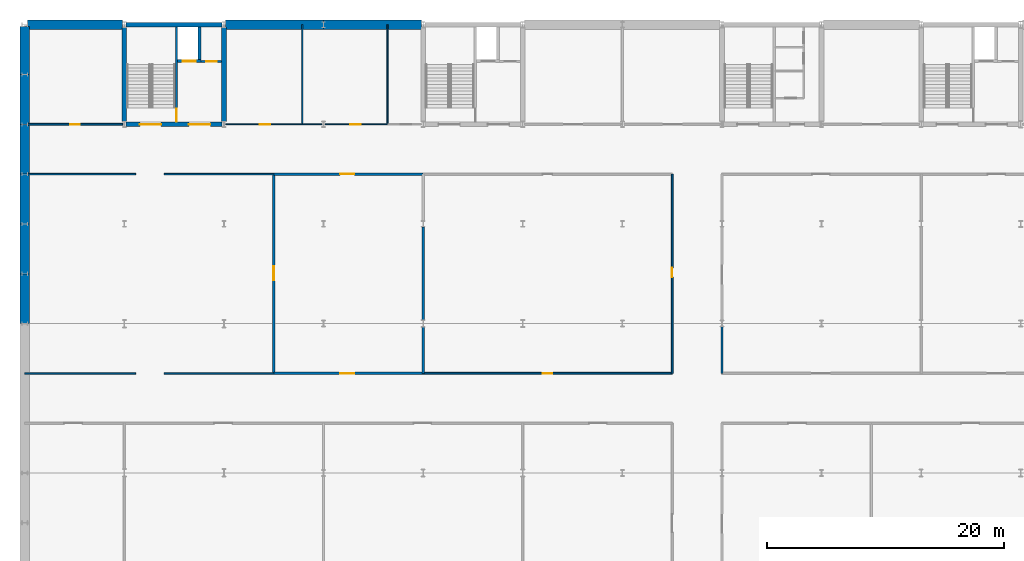
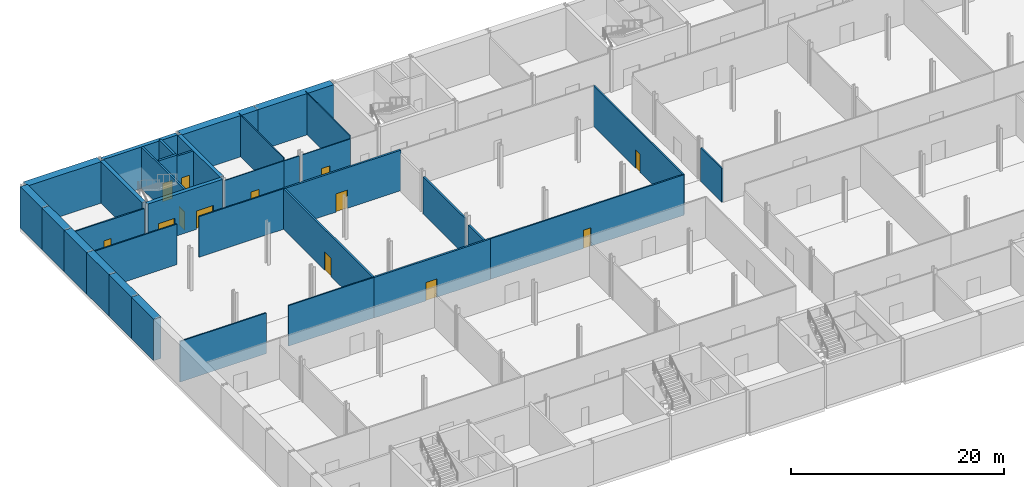
# One storey, part 12 of 20: 35 walls, 13 doors, 13 openings.
"""IFC4 building model written with IfcOpenShell, lengths in metres."""

from ifc_helpers import new_model, si_unit, direction, frame, frame_2d, origin, place, context, subcontext, project, spatial, rectangle, extrude, material, layer, layer_set, type_object, element, fill, save


model = new_model("IFC4")

# Units and contexts
model_context = context("Model", 3, precision=1e-05, world=origin(), true_north=direction((0.0, 1.0)))
body_context = subcontext(model_context, "Body", "Model", "MODEL_VIEW")
ifc_project = project(units=[si_unit("LENGTHUNIT", "METRE"), si_unit("AREAUNIT", "SQUARE_METRE"), si_unit("VOLUMEUNIT", "CUBIC_METRE"), si_unit("PLANEANGLEUNIT", "RADIAN"), si_unit("MASSUNIT", "GRAM", prefix="KILO")], contexts=[model_context])

# Site, building, storey
site_placement = place(None, origin())
site = spatial("IfcSite", under=ifc_project, at=site_placement, CompositionType="ELEMENT")
building_placement = place(site_placement, origin())
building = spatial("IfcBuilding", under=site, at=building_placement, Name="Galleria Vessillo Department Store", CompositionType="ELEMENT")
storey_placement = place(building_placement, frame((0.0, 0.0, -4.89990234375)))
storey = spatial("IfcBuildingStorey", under=building, at=storey_placement, Name="B1", CompositionType="ELEMENT", Elevation=-4.89990234375)

# Walls
ifc_material_1 = material(Name="Concrete C32/40 reinforced", Category="concrete")
ifc_layer_1 = layer(ifc_material_1, 0.800048828125)
ifc_layer_set_1 = layer_set([ifc_layer_1], Name="Concrete C32/40 reinforced")
wall_type_1 = type_object("IfcWallType", Name="Diaphragm wall 800 mm", PredefinedType="SOLIDWALL", material=ifc_layer_set_1)
wall_1_placement = place(storey_placement, frame((0.25, 63.0, 0.0), z_axis=(0.0, 0.0, 1.0), x_axis=(1.0, 0.0, 0.0)))
element("IfcWall", 1, at=wall_1_placement, inside=storey, type_object=wall_type_1, Name="S-BW-N-B1-01", PredefinedType="SOLIDWALL", context=body_context, shape_type="SweptSolid", body=[
    extrude(rectangle(XDim=8.0, YDim=0.800048828125, at=frame_2d((4.0, 0.0))), origin(), (0.0, 0.0, 1.0), 4.75),
])
wall_2_placement = place(storey_placement, frame((16.949951171875, 63.0, 0.0), z_axis=(0.0, 0.0, 1.0), x_axis=(1.0, 0.0, 0.0)))
element("IfcWall", 2, at=wall_2_placement, inside=storey, type_object=wall_type_1, Name="S-BW-N-B1-02", PredefinedType="SOLIDWALL", context=body_context, shape_type="SweptSolid", body=[
    extrude(rectangle(XDim=8.25, YDim=0.800048828125, at=frame_2d((4.125, 0.0))), origin(), (0.0, 0.0, 1.0), 4.75),
])
wall_3_placement = place(storey_placement, frame((25.199951171875, 63.0, 0.0), z_axis=(0.0, 0.0, 1.0), x_axis=(1.0, 0.0, 0.0)))
element("IfcWall", 3, at=wall_3_placement, inside=storey, type_object=wall_type_1, Name="S-BW-N-B1-03", PredefinedType="SOLIDWALL", context=body_context, shape_type="SweptSolid", body=[
    extrude(rectangle(XDim=8.250244140625, YDim=0.800048828125, at=frame_2d((4.125, 0.0))), origin(), (0.0, 0.0, 1.0), 4.75),
])
for number, where, z_axis, x_axis, name in (
    (4, (0.0, 37.800048828125, 0.0), (0.0, 0.0, 1.0), (0.0, 1.0, 0.0), "S-BW-W-B1-08"),
    (5, (0.0, 42.0, 0.0), (0.0, 0.0, 1.0), (0.0, 1.0, 0.0), "S-BW-W-B1-09"),
    (6, (0.0, 46.199951171875, 0.0), (0.0, 0.0, 1.0), (0.0, 1.0, 0.0), "S-BW-W-B1-10"),
):
    element("IfcWall", number, at=place(storey_placement, frame(where, z_axis=z_axis, x_axis=x_axis)), inside=storey, type_object=wall_type_1, Name=name, PredefinedType="SOLIDWALL", context=body_context, shape_type="SweptSolid", body=[
        extrude(rectangle(XDim=4.199951171875, YDim=0.800048828125, at=frame_2d((2.10009765625, 0.0))), origin(), (0.0, 0.0, 1.0), 4.75),
    ])
wall_4_placement = place(storey_placement, frame((0.0, 50.39990234375, 0.0), z_axis=(0.0, 0.0, 1.0), x_axis=(0.0, 1.0, 0.0)))
element("IfcWall", 7, at=wall_4_placement, inside=storey, type_object=wall_type_1, Name="S-BW-W-B1-11", PredefinedType="SOLIDWALL", context=body_context, shape_type="SweptSolid", body=[
    extrude(rectangle(XDim=4.2001953125, YDim=0.800048828125, at=frame_2d((2.10009765625, 0.0))), origin(), (0.0, 0.0, 1.0), 4.75),
])
wall_5_placement = place(storey_placement, frame((0.0, 54.60009765625, 0.0), z_axis=(0.0, 0.0, 1.0), x_axis=(0.0, 1.0, 0.0)))
element("IfcWall", 8, at=wall_5_placement, inside=storey, type_object=wall_type_1, Name="S-BW-W-B1-12", PredefinedType="SOLIDWALL", context=body_context, shape_type="SweptSolid", body=[
    extrude(rectangle(XDim=4.199951171875, YDim=0.800048828125, at=frame_2d((2.10009765625, 0.0))), origin(), (0.0, 0.0, 1.0), 4.75),
])
wall_6_placement = place(storey_placement, frame((0.0, 58.800048828125, 0.0), z_axis=(0.0, 0.0, 1.0), x_axis=(0.0, 1.0, 0.0)))
element("IfcWall", 9, at=wall_6_placement, inside=storey, type_object=wall_type_1, Name="S-BW-W-B1-13", PredefinedType="SOLIDWALL", context=body_context, shape_type="SweptSolid", body=[
    extrude(rectangle(XDim=4.050048828125, YDim=0.800048828125, at=frame_2d((2.02490234375, 0.0))), origin(), (0.0, 0.0, 1.0), 4.75),
])

# Wall, opening, door
ifc_material_2 = material(Name="Concrete blockwork", Category="masonry")
ifc_layer_2 = layer(ifc_material_2, 0.199951171875)
ifc_layer_set_2 = layer_set([ifc_layer_2], Name="Concrete blockwork")
wall_type_2 = type_object("IfcWallType", Name="Kitchen blockwork wall 200 mm", PredefinedType="SOLIDWALL", material=ifc_layer_set_2)
wall_7_placement = place(storey_placement, frame((21.0, 33.60009765625, 0.0), z_axis=(0.0, 0.0, 1.0), x_axis=(1.0, 0.0, 0.0)))
wall_7 = element("IfcWall", 10, at=wall_7_placement, inside=storey, type_object=wall_type_2, Name="Partition wall PT8 on B1 no. 041", PredefinedType="SOLIDWALL", context=body_context, shape_type="SweptSolid", body=[
    extrude(rectangle(XDim=12.60009765625, YDim=0.199951171875, at=frame_2d((6.300048828125, 0.0))), origin(), (0.0, 0.0, 1.0), 4.64990234375),
])
opening_1_placement = place(wall_7_placement, frame((5.60009765625, 0.0, 0.0)))
opening_1 = element("IfcOpeningElement", 11, at=opening_1_placement, cuts=wall_7, Name="Opening D2131", PredefinedType="OPENING", context=body_context, shape_type="SweptSolid", body=[
    extrude(rectangle(XDim=1.199951171875, YDim=2.10009765625, at=frame_2d((0.60009765625, 1.050048828125))), frame((0.0, 0.10986328125, 0.0), z_axis=(0.0, -1.0, 0.0), x_axis=(1.0, 0.0, 0.0)), (0.0, 0.0, 1.0), 0.219970703125),
])
ifc_material_3 = material(Name="Steel fire door leaf", Category="steel")
door_type_1 = type_object("IfcDoorType", Name="Kitchen fire door 1200", OperationType="SINGLE_SWING_LEFT", PredefinedType="DOOR", material=ifc_material_3)
door_1_placement = place(opening_1_placement, origin())
door_1 = element("IfcDoor", 12, at=door_1_placement, inside=storey, type_object=door_type_1, Name="Door D2131", OperationType="SINGLE_SWING_RIGHT", OverallHeight=2.10009765625, OverallWidth=1.199951171875, PredefinedType="DOOR", context=body_context, shape_type="SweptSolid", body=[
    extrude(rectangle(XDim=1.199951171875, YDim=2.10009765625, at=frame_2d((0.60009765625, 1.050048828125))), frame((0.0, 0.02490234375, 0.0), z_axis=(0.0, -1.0, 0.0), x_axis=(1.0, 0.0, 0.0)), (0.0, 0.0, 1.0), 0.050048828125),
])
fill(opening_1, door_1)

wall_8_placement = place(storey_placement, frame((21.0, 50.39990234375, 0.0), z_axis=(0.0, 0.0, 1.0), x_axis=(1.0, 0.0, 0.0)))
wall_8 = element("IfcWall", 13, at=wall_8_placement, inside=storey, type_object=wall_type_2, Name="Partition wall PT8 on B1 no. 049", PredefinedType="SOLIDWALL", context=body_context, shape_type="SweptSolid", body=[
    extrude(rectangle(XDim=12.60009765625, YDim=0.199951171875, at=frame_2d((6.300048828125, 0.0))), origin(), (0.0, 0.0, 1.0), 4.64990234375),
])
opening_2_placement = place(wall_8_placement, frame((5.60009765625, 0.0, 0.0)))
opening_2 = element("IfcOpeningElement", 14, at=opening_2_placement, cuts=wall_8, Name="Opening D2137", PredefinedType="OPENING", context=body_context, shape_type="SweptSolid", body=[
    extrude(rectangle(XDim=1.199951171875, YDim=2.10009765625, at=frame_2d((0.60009765625, 1.050048828125))), frame((0.0, 0.10986328125, 0.0), z_axis=(0.0, -1.0, 0.0), x_axis=(1.0, 0.0, 0.0)), (0.0, 0.0, 1.0), 0.219970703125),
])
door_2_placement = place(opening_2_placement, frame((1.199951171875, 0.0, 0.0), z_axis=(0.0, 0.0, 1.0), x_axis=(-1.0, 0.0, 0.0)))
door_2 = element("IfcDoor", 15, at=door_2_placement, inside=storey, type_object=door_type_1, Name="Door D2137", OperationType="SINGLE_SWING_LEFT", OverallHeight=2.10009765625, OverallWidth=1.199951171875, PredefinedType="DOOR", context=body_context, shape_type="SweptSolid", body=[
    extrude(rectangle(XDim=1.199951171875, YDim=2.10009765625, at=frame_2d((0.60009765625, 1.050048828125))), frame((0.0, 0.02490234375, 0.0), z_axis=(0.0, -1.0, 0.0), x_axis=(1.0, 0.0, 0.0)), (0.0, 0.0, 1.0), 0.050048828125),
])
fill(opening_2, door_2)

wall_9_placement = place(storey_placement, frame((21.0, 33.60009765625, 0.0), z_axis=(0.0, 0.0, 1.0), x_axis=(0.0, 1.0, 0.0)))
wall_9 = element("IfcWall", 16, at=wall_9_placement, inside=storey, type_object=wall_type_2, Name="Partition wall PT8 on B1 no. 090", PredefinedType="SOLIDWALL", context=body_context, shape_type="SweptSolid", body=[
    extrude(rectangle(XDim=16.7998046875, YDim=0.199951171875, at=frame_2d((8.39990234375, 0.0))), origin(), (0.0, 0.0, 1.0), 4.64990234375),
])
opening_3_placement = place(wall_9_placement, frame((7.85009765625, 0.0, 0.0)))
opening_3 = element("IfcOpeningElement", 17, at=opening_3_placement, cuts=wall_9, Name="Opening D2155", PredefinedType="OPENING", context=body_context, shape_type="SweptSolid", body=[
    extrude(rectangle(XDim=1.199951171875, YDim=2.10009765625, at=frame_2d((0.60009765625, 1.050048828125))), frame((0.0, 0.10986328125, 0.0), z_axis=(0.0, -1.0, 0.0), x_axis=(1.0, 0.0, 0.0)), (0.0, 0.0, 1.0), 0.219970703125),
])
door_3_placement = place(opening_3_placement, origin())
door_3 = element("IfcDoor", 18, at=door_3_placement, inside=storey, type_object=door_type_1, Name="Door D2155", OperationType="SINGLE_SWING_LEFT", OverallHeight=2.10009765625, OverallWidth=1.199951171875, PredefinedType="DOOR", context=body_context, shape_type="SweptSolid", body=[
    extrude(rectangle(XDim=1.199951171875, YDim=2.10009765625, at=frame_2d((0.60009765625, 1.050048828125))), frame((0.0, 0.02490234375, 0.0), z_axis=(0.0, -1.0, 0.0), x_axis=(1.0, 0.0, 0.0)), (0.0, 0.0, 1.0), 0.050048828125),
])
fill(opening_3, door_3)

# Walls
wall_10_placement = place(storey_placement, frame((33.60009765625, 33.60009765625, 0.0), z_axis=(0.0, 0.0, 1.0), x_axis=(0.0, 1.0, 0.0)))
element("IfcWall", 19, at=wall_10_placement, inside=storey, type_object=wall_type_2, Name="Partition wall PT8 on B1 no. 091", PredefinedType="SOLIDWALL", context=body_context, shape_type="SweptSolid", body=[
    extrude(rectangle(XDim=3.889892578125, YDim=0.199951171875, at=frame_2d((1.94482421875, 0.0))), origin(), (0.0, 0.0, 1.0), 3.85986328125),
])
wall_11_placement = place(storey_placement, frame((33.60009765625, 38.110107421875, 0.0), z_axis=(0.0, 0.0, 1.0), x_axis=(0.0, 1.0, 0.0)))
element("IfcWall", 20, at=wall_11_placement, inside=storey, type_object=wall_type_2, Name="Partition wall PT8 on B1 no. 092", PredefinedType="SOLIDWALL", context=body_context, shape_type="SweptSolid", body=[
    extrude(rectangle(XDim=7.83984375, YDim=0.199951171875, at=frame_2d((3.919921875, 0.0))), origin(), (0.0, 0.0, 1.0), 4.259765625),
])

# Wall, opening, door
ifc_material_4 = material(Name="Solid clay block masonry", Category="masonry")
ifc_layer_3 = layer(ifc_material_4, 0.25)
ifc_layer_set_3 = layer_set([ifc_layer_3], Name="Solid clay block masonry")
wall_type_3 = type_object("IfcWallType", Name="Lift shaft wall 250 mm", PredefinedType="SOLIDWALL", material=ifc_layer_set_3)
wall_12_placement = place(storey_placement, frame((12.89990234375, 59.925048828125, 0.0), z_axis=(0.0, 0.0, 1.0), x_axis=(1.0, 0.0, 0.0)))
wall_12 = element("IfcWall", 21, at=wall_12_placement, inside=storey, type_object=wall_type_3, Name="Lift shaft wall LP2 landing side B1", PredefinedType="SOLIDWALL", context=body_context, shape_type="SweptSolid", body=[
    extrude(rectangle(XDim=1.9501953125, YDim=0.25, at=frame_2d((0.97509765625, 0.0))), origin(), (0.0, 0.0, 1.0), 4.89990234375),
])
opening_4_placement = place(wall_12_placement, frame((0.425048828125, 0.0, 0.0)))
opening_4 = element("IfcOpeningElement", 22, at=opening_4_placement, cuts=wall_12, Name="Opening LD010", PredefinedType="OPENING", context=body_context, shape_type="SweptSolid", body=[
    extrude(rectangle(XDim=1.10009765625, YDim=2.10009765625, at=frame_2d((0.550048828125, 1.050048828125))), frame((0.0, 0.135009765625, 0.0), z_axis=(0.0, -1.0, 0.0), x_axis=(1.0, 0.0, 0.0)), (0.0, 0.0, 1.0), 0.27001953125),
])
ifc_material_5 = material(Name="Stainless steel lift door panel", Category="steel")
door_type_2 = type_object("IfcDoorType", Name="Lift landing door LD110 sliding 1100 x 2100", OperationType="SLIDING_TO_LEFT", PredefinedType="DOOR", material=ifc_material_5)
door_4_placement = place(opening_4_placement, frame((1.10009765625, 0.0, 0.0), z_axis=(0.0, 0.0, 1.0), x_axis=(-1.0, 0.0, 0.0)))
door_4 = element("IfcDoor", 23, at=door_4_placement, inside=storey, type_object=door_type_2, Name="Lift landing door LP2 B1", OperationType="SLIDING_TO_RIGHT", OverallHeight=2.10009765625, OverallWidth=1.10009765625, PredefinedType="DOOR", context=body_context, shape_type="SweptSolid", body=[
    extrude(rectangle(XDim=1.10009765625, YDim=2.10009765625, at=frame_2d((0.550048828125, 1.050048828125))), frame((0.0, 0.02490234375, 0.0), z_axis=(0.0, -1.0, 0.0), x_axis=(1.0, 0.0, 0.0)), (0.0, 0.0, 1.0), 0.050048828125),
])
fill(opening_4, door_4)

# Wall
wall_13_placement = place(storey_placement, frame((14.72509765625, 62.800048828125, 0.0), z_axis=(0.0, 0.0, 1.0), x_axis=(0.0, -1.0, 0.0)))
element("IfcWall", 24, at=wall_13_placement, inside=storey, type_object=wall_type_3, Name="Lift shaft wall LP2 B1", PredefinedType="SOLIDWALL", context=body_context, shape_type="SweptSolid", body=[
    extrude(rectangle(XDim=2.75, YDim=0.25, at=frame_2d((1.375, 0.0))), origin(), (0.0, 0.0, 1.0), 4.89990234375),
])

# Wall, openings, doors
ifc_material_6 = material(Name="Concrete C32/40 reinforced", Category="concrete")
ifc_layer_4 = layer(ifc_material_6, 0.39990234375)
ifc_layer_set_4 = layer_set([ifc_layer_4], Name="Concrete C32/40 reinforced")
wall_type_4 = type_object("IfcWallType", Name="Reinforced concrete core wall 400 mm", PredefinedType="SHEAR", material=ifc_layer_set_4)
wall_14_placement = place(storey_placement, frame((8.5498046875, 54.60009765625, 0.0), z_axis=(0.0, 0.0, 1.0), x_axis=(1.0, 0.0, 0.0)))
wall_14 = element("IfcWall", 25, at=wall_14_placement, inside=storey, type_object=wall_type_4, Name="S-CW-PC-NW-INTERIOR-B1", PredefinedType="SHEAR", context=body_context, shape_type="SweptSolid", body=[
    extrude(rectangle(XDim=8.100341796875, YDim=0.39990234375, at=frame_2d((4.05029296875, 0.0))), origin(), (0.0, 0.0, 1.0), 4.75),
])
opening_5_placement = place(wall_14_placement, frame((1.150146484375, 0.0, 0.0)))
opening_5 = element("IfcOpeningElement", 26, at=opening_5_placement, cuts=wall_14, Name="Opening D5039", PredefinedType="OPENING", context=body_context, shape_type="SweptSolid", body=[
    extrude(rectangle(XDim=1.800048828125, YDim=2.10009765625, at=frame_2d((0.89990234375, 1.050048828125))), frame((0.0, 0.2099609375, 0.0), z_axis=(0.0, -1.0, 0.0), x_axis=(1.0, 0.0, 0.0)), (0.0, 0.0, 1.0), 0.419921875),
])
opening_6_placement = place(wall_14_placement, frame((5.300048828125, 0.0, 0.0)))
opening_6 = element("IfcOpeningElement", 27, at=opening_6_placement, cuts=wall_14, Name="Opening D5040", PredefinedType="OPENING", context=body_context, shape_type="SweptSolid", body=[
    extrude(rectangle(XDim=1.800048828125, YDim=2.10009765625, at=frame_2d((0.89990234375, 1.050048828125))), frame((0.0, 0.2099609375, 0.0), z_axis=(0.0, -1.0, 0.0), x_axis=(1.0, 0.0, 0.0)), (0.0, 0.0, 1.0), 0.419921875),
])
ifc_material_7 = material(Name="Fire-rated steel door leaf", Category="steel")
door_type_3 = type_object("IfcDoorType", Name="Door D180F double leaf 1800 x 2100", OperationType="DOUBLE_DOOR_SINGLE_SWING", PredefinedType="DOOR", material=ifc_material_7)
door_5_placement = place(opening_5_placement, origin())
door_5 = element("IfcDoor", 28, at=door_5_placement, inside=storey, type_object=door_type_3, Name="Lobby door PC-NW-ST-FLOOR B1", OperationType="DOUBLE_DOOR_SINGLE_SWING", OverallHeight=2.10009765625, OverallWidth=1.800048828125, PredefinedType="DOOR", context=body_context, shape_type="SweptSolid", body=[
    extrude(rectangle(XDim=1.800048828125, YDim=2.10009765625, at=frame_2d((0.89990234375, 1.050048828125))), frame((0.0, 0.02490234375, 0.0), z_axis=(0.0, -1.0, 0.0), x_axis=(1.0, 0.0, 0.0)), (0.0, 0.0, 1.0), 0.050048828125),
])
fill(opening_5, door_5)
door_6_placement = place(opening_6_placement, frame((1.800048828125, 0.0, 0.0), z_axis=(0.0, 0.0, 1.0), x_axis=(-1.0, 0.0, 0.0)))
door_6 = element("IfcDoor", 29, at=door_6_placement, inside=storey, type_object=door_type_3, Name="Lobby door PC-NW-LOBBY-FLOOR B1", OperationType="DOUBLE_DOOR_SINGLE_SWING", OverallHeight=2.10009765625, OverallWidth=1.800048828125, PredefinedType="DOOR", context=body_context, shape_type="SweptSolid", body=[
    extrude(rectangle(XDim=1.800048828125, YDim=2.10009765625, at=frame_2d((0.89990234375, 1.050048828125))), frame((0.0, 0.02490234375, 0.0), z_axis=(0.0, -1.0, 0.0), x_axis=(1.0, 0.0, 0.0)), (0.0, 0.0, 1.0), 0.050048828125),
])
fill(opening_6, door_6)

# Walls
wall_15_placement = place(storey_placement, frame((16.800048828125, 54.85009765625, 0.0), z_axis=(0.0, 0.0, 1.0), x_axis=(0.0, 1.0, 0.0)))
element("IfcWall", 30, at=wall_15_placement, inside=storey, type_object=wall_type_4, Name="S-CW-PC-NW-EAST-B1", PredefinedType="SHEAR", context=body_context, shape_type="SweptSolid", body=[
    extrude(rectangle(XDim=7.89990234375, YDim=0.39990234375, at=frame_2d((3.949951171875, 0.0))), origin(), (0.0, 0.0, 1.0), 4.75),
])
ifc_material_8 = material(Name="Concrete C32/40 reinforced", Category="concrete")
ifc_layer_5 = layer(ifc_material_8, 0.39990234375)
ifc_layer_set_5 = layer_set([ifc_layer_5], Name="Concrete C32/40 reinforced")
wall_type_5 = type_object("IfcWallType", Name="Reinforced concrete core wall 400 mm, external", PredefinedType="SHEAR", material=ifc_layer_set_5)
wall_16_placement = place(storey_placement, frame((8.5498046875, 63.0, 0.0), z_axis=(0.0, 0.0, 1.0), x_axis=(1.0, 0.0, 0.0)))
element("IfcWall", 31, at=wall_16_placement, inside=storey, type_object=wall_type_5, Name="S-CW-PC-NW-PARTY-B1", PredefinedType="SHEAR", context=body_context, shape_type="SweptSolid", body=[
    extrude(rectangle(XDim=8.100341796875, YDim=0.39990234375, at=frame_2d((4.05029296875, 0.0))), origin(), (0.0, 0.0, 1.0), 4.75),
])
wall_17_placement = place(storey_placement, frame((8.39990234375, 54.85009765625, 0.0), z_axis=(0.0, 0.0, 1.0), x_axis=(0.0, 1.0, 0.0)))
element("IfcWall", 32, at=wall_17_placement, inside=storey, type_object=wall_type_5, Name="S-CW-PC-NW-WEST-B1", PredefinedType="SHEAR", context=body_context, shape_type="SweptSolid", body=[
    extrude(rectangle(XDim=7.89990234375, YDim=0.39990234375, at=frame_2d((3.949951171875, 0.0))), origin(), (0.0, 0.0, 1.0), 4.75),
])

# Wall, opening, door
ifc_material_9 = material(Name="Concrete C32/40 reinforced", Category="concrete")
ifc_layer_6 = layer(ifc_material_9, 0.199951171875)
ifc_layer_set_6 = layer_set([ifc_layer_6], Name="Concrete C32/40 reinforced")
wall_type_6 = type_object("IfcWallType", Name="Reinforced concrete stair enclosure wall 200 mm", PredefinedType="SHEAR", material=ifc_layer_set_6)
wall_18_placement = place(storey_placement, frame((12.7998046875, 62.800048828125, 0.0), z_axis=(0.0, 0.0, 1.0), x_axis=(0.0, -1.0, 0.0)))
wall_18 = element("IfcWall", 33, at=wall_18_placement, inside=storey, type_object=wall_type_6, Name="Stair enclosure wall PC-NW B1", PredefinedType="SHEAR", context=body_context, shape_type="SweptSolid", body=[
    extrude(rectangle(XDim=8.0, YDim=0.199951171875, at=frame_2d((4.0, 0.0))), origin(), (0.0, 0.0, 1.0), 4.75),
])
opening_7_placement = place(wall_18_placement, frame((6.89990234375, 0.0, 0.0)))
opening_7 = element("IfcOpeningElement", 34, at=opening_7_placement, cuts=wall_18, Name="Opening D5037", PredefinedType="OPENING", context=body_context, shape_type="SweptSolid", body=[
    extrude(rectangle(XDim=1.11009765625, YDim=2.10009765625, at=frame_2d((0.554931640625, 1.050048828125))), frame((0.0, 0.10986328125, 0.0), z_axis=(0.0, -1.0, 0.0), x_axis=(1.0, 0.0, 0.0)), (0.0, 0.0, 1.0), 0.219970703125),
])
ifc_material_10 = material(Name="Fire-rated steel door leaf", Category="steel")
door_type_4 = type_object("IfcDoorType", Name="Door D110F stair door 1100 x 2100", OperationType="SINGLE_SWING_LEFT", PredefinedType="DOOR", material=ifc_material_10)
door_7_placement = place(opening_7_placement, frame((1.10009765625, 0.0, 0.0), z_axis=(0.0, 0.0, 1.0), x_axis=(-1.0, 0.0, 0.0)))
door_7 = element("IfcDoor", 35, at=door_7_placement, inside=storey, type_object=door_type_4, Name="Stair door PC-NW-ST-LOBBY B1", OperationType="SINGLE_SWING_LEFT", OverallHeight=2.10009765625, OverallWidth=1.10009765625, PredefinedType="DOOR", context=body_context, shape_type="SweptSolid", body=[
    extrude(rectangle(XDim=1.10009765625, YDim=2.10009765625, at=frame_2d((0.550048828125, 1.050048828125))), frame((0.0, 0.02490234375, 0.0), z_axis=(0.0, -1.0, 0.0), x_axis=(1.0, 0.0, 0.0)), (0.0, 0.0, 1.0), 0.050048828125),
])
fill(opening_7, door_7)

ifc_material_11 = material(Name="Hollow clay block masonry", Category="masonry")
ifc_layer_7 = layer(ifc_material_11, 0.199951171875)
ifc_layer_set_7 = layer_set([ifc_layer_7], Name="Hollow clay block masonry")
wall_type_7 = type_object("IfcWallType", Name="Riser and service room wall 200 mm", PredefinedType="PARTITIONING", material=ifc_layer_set_7)
wall_19_placement = place(storey_placement, frame((14.85009765625, 59.900146484375, 0.0), z_axis=(0.0, 0.0, 1.0), x_axis=(1.0, 0.0, 0.0)))
wall_19 = element("IfcWall", 36, at=wall_19_placement, inside=storey, type_object=wall_type_7, Name="Riser wall PC-NW-RISER B1", PredefinedType="PARTITIONING", context=body_context, shape_type="SweptSolid", body=[
    extrude(rectangle(XDim=1.75, YDim=0.199951171875, at=frame_2d((0.875, 0.0))), origin(), (0.0, 0.0, 1.0), 4.75),
])
opening_8_placement = place(wall_19_placement, frame((0.449951171875, 0.0, 0.0)))
opening_8 = element("IfcOpeningElement", 37, at=opening_8_placement, cuts=wall_19, Name="Opening D5038", PredefinedType="OPENING", context=body_context, shape_type="SweptSolid", body=[
    extrude(rectangle(XDim=0.89990234375, YDim=2.10009765625, at=frame_2d((0.449951171875, 1.050048828125))), frame((0.0, 0.10986328125, 0.0), z_axis=(0.0, -1.0, 0.0), x_axis=(1.0, 0.0, 0.0)), (0.0, 0.0, 1.0), 0.219970703125),
])
ifc_material_12 = material(Name="Fire-rated steel door leaf", Category="steel")
door_type_5 = type_object("IfcDoorType", Name="Door DR90 riser access 900 x 2100", OperationType="SINGLE_SWING_LEFT", PredefinedType="DOOR", material=ifc_material_12)
door_8_placement = place(opening_8_placement, origin())
door_8 = element("IfcDoor", 38, at=door_8_placement, inside=storey, type_object=door_type_5, Name="Riser door PC-NW-RISER-D B1", OperationType="SINGLE_SWING_RIGHT", OverallHeight=2.10009765625, OverallWidth=0.89990234375, PredefinedType="DOOR", context=body_context, shape_type="SweptSolid", body=[
    extrude(rectangle(XDim=0.89990234375, YDim=2.10009765625, at=frame_2d((0.449951171875, 1.050048828125))), frame((0.0, 0.02490234375, 0.0), z_axis=(0.0, -1.0, 0.0), x_axis=(1.0, 0.0, 0.0)), (0.0, 0.0, 1.0), 0.050048828125),
])
fill(opening_8, door_8)

# Walls
ifc_material_13 = material(Name="Gypsum board partition")
ifc_layer_8 = layer(ifc_material_13, 0.139892578125)
ifc_layer_set_8 = layer_set([ifc_layer_8], Name="Gypsum board partition")
wall_type_8 = type_object("IfcWallType", Name="Sales dividing wall 140 mm", PredefinedType="PARTITIONING", material=ifc_layer_set_8)
wall_20_placement = place(storey_placement, frame((0.0, 33.60009765625, 0.0), z_axis=(0.0, 0.0, 1.0), x_axis=(1.0, 0.0, 0.0)))
element("IfcWall", 39, at=wall_20_placement, inside=storey, type_object=wall_type_8, Name="Partition wall PT3 on B1 no. 039", PredefinedType="PARTITIONING", context=body_context, shape_type="SweptSolid", body=[
    extrude(rectangle(XDim=9.35009765625, YDim=0.139892578125, at=frame_2d((4.675048828125, 0.0))), origin(), (0.0, 0.0, 1.0), 4.64990234375),
])
wall_21_placement = place(storey_placement, frame((11.75, 33.60009765625, 0.0), z_axis=(0.0, 0.0, 1.0), x_axis=(1.0, 0.0, 0.0)))
element("IfcWall", 40, at=wall_21_placement, inside=storey, type_object=wall_type_8, Name="Partition wall PT3 on B1 no. 040", PredefinedType="PARTITIONING", context=body_context, shape_type="SweptSolid", body=[
    extrude(rectangle(XDim=9.25, YDim=0.139892578125, at=frame_2d((4.625, 0.0))), origin(), (0.0, 0.0, 1.0), 4.64990234375),
])
wall_22_placement = place(storey_placement, frame((0.25, 50.39990234375, 0.0), z_axis=(0.0, 0.0, 1.0), x_axis=(1.0, 0.0, 0.0)))
element("IfcWall", 41, at=wall_22_placement, inside=storey, type_object=wall_type_8, Name="Partition wall PT3 on B1 no. 047", PredefinedType="PARTITIONING", context=body_context, shape_type="SweptSolid", body=[
    extrude(rectangle(XDim=9.10009765625, YDim=0.139892578125, at=frame_2d((4.550048828125, 0.0))), origin(), (0.0, 0.0, 1.0), 4.64990234375),
])
wall_23_placement = place(storey_placement, frame((11.75, 50.39990234375, 0.0), z_axis=(0.0, 0.0, 1.0), x_axis=(1.0, 0.0, 0.0)))
element("IfcWall", 42, at=wall_23_placement, inside=storey, type_object=wall_type_8, Name="Partition wall PT3 on B1 no. 048", PredefinedType="PARTITIONING", context=body_context, shape_type="SweptSolid", body=[
    extrude(rectangle(XDim=9.25, YDim=0.139892578125, at=frame_2d((4.625, 0.0))), origin(), (0.0, 0.0, 1.0), 4.64990234375),
])

# Wall, opening, door
ifc_material_14 = material(Name="Concrete blockwork", Category="masonry")
ifc_layer_9 = layer(ifc_material_14, 0.14990234375)
ifc_layer_set_9 = layer_set([ifc_layer_9], Name="Concrete blockwork")
wall_type_9 = type_object("IfcWallType", Name="Stockroom blockwork wall 150 mm", PredefinedType="SOLIDWALL", material=ifc_layer_set_9)
wall_24_placement = place(storey_placement, frame((33.60009765625, 33.60009765625, 0.0), z_axis=(0.0, 0.0, 1.0), x_axis=(1.0, 0.0, 0.0)))
wall_24 = element("IfcWall", 43, at=wall_24_placement, inside=storey, type_object=wall_type_9, Name="Partition wall PT4 on B1 no. 042", PredefinedType="SOLIDWALL", context=body_context, shape_type="SweptSolid", body=[
    extrude(rectangle(XDim=21.0, YDim=0.14990234375, at=frame_2d((10.5, 0.0))), origin(), (0.0, 0.0, 1.0), 4.64990234375),
])
opening_9_placement = place(wall_24_placement, frame((10.10009765625, 0.0, 0.0)))
opening_9 = element("IfcOpeningElement", 44, at=opening_9_placement, cuts=wall_24, Name="Opening D2132", PredefinedType="OPENING", context=body_context, shape_type="SweptSolid", body=[
    extrude(rectangle(XDim=0.800048828125, YDim=2.10009765625, at=frame_2d((0.39990234375, 1.050048828125))), frame((0.0, 0.0849609375, 0.0), z_axis=(0.0, -1.0, 0.0), x_axis=(1.0, 0.0, 0.0)), (0.0, 0.0, 1.0), 0.169921875),
])
ifc_material_15 = material(Name="Steel fire door leaf", Category="steel")
door_type_6 = type_object("IfcDoorType", Name="Fire door 800 staff door", OperationType="SINGLE_SWING_LEFT", PredefinedType="DOOR", material=ifc_material_15)
door_9_placement = place(opening_9_placement, origin())
door_9 = element("IfcDoor", 45, at=door_9_placement, inside=storey, type_object=door_type_6, Name="Door D2132", OperationType="SINGLE_SWING_RIGHT", OverallHeight=2.10009765625, OverallWidth=0.800048828125, PredefinedType="DOOR", context=body_context, shape_type="SweptSolid", body=[
    extrude(rectangle(XDim=0.800048828125, YDim=2.10009765625, at=frame_2d((0.39990234375, 1.050048828125))), frame((0.0, 0.02490234375, 0.0), z_axis=(0.0, -1.0, 0.0), x_axis=(1.0, 0.0, 0.0)), (0.0, 0.0, 1.0), 0.050048828125),
])
fill(opening_9, door_9)

wall_25_placement = place(storey_placement, frame((0.25, 54.60009765625, 0.0), z_axis=(0.0, 0.0, 1.0), x_axis=(1.0, 0.0, 0.0)))
wall_25 = element("IfcWall", 46, at=wall_25_placement, inside=storey, type_object=wall_type_9, Name="Partition wall PT4 on B1 no. 055", PredefinedType="SOLIDWALL", context=body_context, shape_type="SweptSolid", body=[
    extrude(rectangle(XDim=8.0, YDim=0.14990234375, at=frame_2d((4.0, 0.0))), origin(), (0.0, 0.0, 1.0), 4.259765625),
])
opening_10_placement = place(wall_25_placement, frame((3.60009765625, 0.0, 0.0)))
opening_10 = element("IfcOpeningElement", 47, at=opening_10_placement, cuts=wall_25, Name="Opening D2143", PredefinedType="OPENING", context=body_context, shape_type="SweptSolid", body=[
    extrude(rectangle(XDim=0.800048828125, YDim=2.10009765625, at=frame_2d((0.39990234375, 1.050048828125))), frame((0.0, 0.0849609375, 0.0), z_axis=(0.0, -1.0, 0.0), x_axis=(1.0, 0.0, 0.0)), (0.0, 0.0, 1.0), 0.169921875),
])
door_10_placement = place(opening_10_placement, origin())
door_10 = element("IfcDoor", 48, at=door_10_placement, inside=storey, type_object=door_type_6, Name="Door D2143", OperationType="SINGLE_SWING_LEFT", OverallHeight=2.10009765625, OverallWidth=0.800048828125, PredefinedType="DOOR", context=body_context, shape_type="SweptSolid", body=[
    extrude(rectangle(XDim=0.800048828125, YDim=2.10009765625, at=frame_2d((0.39990234375, 1.050048828125))), frame((0.0, 0.02490234375, 0.0), z_axis=(0.0, -1.0, 0.0), x_axis=(1.0, 0.0, 0.0)), (0.0, 0.0, 1.0), 0.050048828125),
])
fill(opening_10, door_10)

wall_26_placement = place(storey_placement, frame((54.60009765625, 33.60009765625, 0.0), z_axis=(0.0, 0.0, 1.0), x_axis=(0.0, 1.0, 0.0)))
wall_26 = element("IfcWall", 49, at=wall_26_placement, inside=storey, type_object=wall_type_9, Name="Partition wall PT4 on B1 no. 069", PredefinedType="SOLIDWALL", context=body_context, shape_type="SweptSolid", body=[
    extrude(rectangle(XDim=16.7998046875, YDim=0.14990234375, at=frame_2d((8.39990234375, 0.0))), origin(), (0.0, 0.0, 1.0), 4.64990234375),
])
opening_11_placement = place(wall_26_placement, frame((8.10009765625, 0.0, 0.0)))
opening_11 = element("IfcOpeningElement", 50, at=opening_11_placement, cuts=wall_26, Name="Opening D2153", PredefinedType="OPENING", context=body_context, shape_type="SweptSolid", body=[
    extrude(rectangle(XDim=0.800048828125, YDim=2.10009765625, at=frame_2d((0.39990234375, 1.050048828125))), frame((0.0, 0.0849609375, 0.0), z_axis=(0.0, -1.0, 0.0), x_axis=(1.0, 0.0, 0.0)), (0.0, 0.0, 1.0), 0.169921875),
])
door_11_placement = place(opening_11_placement, origin())
door_11 = element("IfcDoor", 51, at=door_11_placement, inside=storey, type_object=door_type_6, Name="Door D2153", OperationType="SINGLE_SWING_RIGHT", OverallHeight=2.10009765625, OverallWidth=0.800048828125, PredefinedType="DOOR", context=body_context, shape_type="SweptSolid", body=[
    extrude(rectangle(XDim=0.800048828125, YDim=2.10009765625, at=frame_2d((0.39990234375, 1.050048828125))), frame((0.0, 0.02490234375, 0.0), z_axis=(0.0, -1.0, 0.0), x_axis=(1.0, 0.0, 0.0)), (0.0, 0.0, 1.0), 0.050048828125),
])
fill(opening_11, door_11)

# Wall
wall_27_placement = place(storey_placement, frame((58.800048828125, 33.60009765625, 0.0), z_axis=(0.0, 0.0, 1.0), x_axis=(0.0, 1.0, 0.0)))
element("IfcWall", 52, at=wall_27_placement, inside=storey, type_object=wall_type_9, Name="Partition wall PT4 on B1 no. 070", PredefinedType="SOLIDWALL", context=body_context, shape_type="SweptSolid", body=[
    extrude(rectangle(XDim=3.93798828125, YDim=0.14990234375, at=frame_2d((1.968994140625, 0.0))), origin(), (0.0, 0.0, 1.0), 3.85986328125),
])

# Wall, opening, door
ifc_material_16 = material(Name="Moisture-resistant board partition")
ifc_layer_10 = layer(ifc_material_16, 0.10009765625)
ifc_layer_set_10 = layer_set([ifc_layer_10], Name="Moisture-resistant board partition")
wall_type_10 = type_object("IfcWallType", Name="WC and cubicle partition 100 mm", PredefinedType="PARTITIONING", material=ifc_layer_set_10)
wall_28_placement = place(storey_placement, frame((16.949951171875, 54.60009765625, 0.0), z_axis=(0.0, 0.0, 1.0), x_axis=(1.0, 0.0, 0.0)))
wall_28 = element("IfcWall", 53, at=wall_28_placement, inside=storey, type_object=wall_type_10, Name="Partition wall PT1 on B1 no. 056", PredefinedType="PARTITIONING", context=body_context, shape_type="SweptSolid", body=[
    extrude(rectangle(XDim=6.449951171875, YDim=0.10009765625, at=frame_2d((3.22509765625, 0.0))), origin(), (0.0, 0.0, 1.0), 4.39990234375),
])
opening_12_placement = place(wall_28_placement, frame((2.85009765625, 0.0, 0.0)))
opening_12 = element("IfcOpeningElement", 54, at=opening_12_placement, cuts=wall_28, Name="Opening D2144", PredefinedType="OPENING", context=body_context, shape_type="SweptSolid", body=[
    extrude(rectangle(XDim=0.89990234375, YDim=2.10009765625, at=frame_2d((0.449951171875, 1.050048828125))), frame((0.0, 0.06005859375, 0.0), z_axis=(0.0, -1.0, 0.0), x_axis=(1.0, 0.0, 0.0)), (0.0, 0.0, 1.0), 0.1201171875),
])
ifc_material_17 = material(Name="Timber and glass door leaf", Category="wood")
door_type_7 = type_object("IfcDoorType", Name="Floor door 900 single leaf", OperationType="SINGLE_SWING_LEFT", PredefinedType="DOOR", material=ifc_material_17)
door_12_placement = place(opening_12_placement, origin())
door_12 = element("IfcDoor", 55, at=door_12_placement, inside=storey, type_object=door_type_7, Name="Door D2144", OperationType="SINGLE_SWING_LEFT", OverallHeight=2.10009765625, OverallWidth=0.89990234375, PredefinedType="DOOR", context=body_context, shape_type="SweptSolid", body=[
    extrude(rectangle(XDim=0.89990234375, YDim=2.10009765625, at=frame_2d((0.449951171875, 1.050048828125))), frame((0.0, 0.02490234375, 0.0), z_axis=(0.0, -1.0, 0.0), x_axis=(1.0, 0.0, 0.0)), (0.0, 0.0, 1.0), 0.050048828125),
])
fill(opening_12, door_12)

# Wall
wall_29_placement = place(storey_placement, frame((23.39990234375, 54.60009765625, 0.0), z_axis=(0.0, 0.0, 1.0), x_axis=(1.0, 0.0, 0.0)))
element("IfcWall", 56, at=wall_29_placement, inside=storey, type_object=wall_type_10, Name="Partition wall PT1 on B1 no. 057", PredefinedType="PARTITIONING", context=body_context, shape_type="SweptSolid", body=[
    extrude(rectangle(XDim=1.650146484375, YDim=0.10009765625, at=frame_2d((0.8251953125, 0.0))), origin(), (0.0, 0.0, 1.0), 4.39990234375),
])

# Wall, opening, door
wall_30_placement = place(storey_placement, frame((25.349853515625, 54.60009765625, 0.0), z_axis=(0.0, 0.0, 1.0), x_axis=(1.0, 0.0, 0.0)))
wall_30 = element("IfcWall", 57, at=wall_30_placement, inside=storey, type_object=wall_type_10, Name="Partition wall PT1 on B1 no. 058", PredefinedType="PARTITIONING", context=body_context, shape_type="SweptSolid", body=[
    extrude(rectangle(XDim=5.250244140625, YDim=0.10009765625, at=frame_2d((2.625, 0.0))), origin(), (0.0, 0.0, 1.0), 4.39990234375),
])
opening_13_placement = place(wall_30_placement, frame((2.10009765625, 0.0, 0.0)))
opening_13 = element("IfcOpeningElement", 58, at=opening_13_placement, cuts=wall_30, Name="Opening D2145", PredefinedType="OPENING", context=body_context, shape_type="SweptSolid", body=[
    extrude(rectangle(XDim=0.89990234375, YDim=2.10009765625, at=frame_2d((0.449951171875, 1.050048828125))), frame((0.0, 0.06005859375, 0.0), z_axis=(0.0, -1.0, 0.0), x_axis=(1.0, 0.0, 0.0)), (0.0, 0.0, 1.0), 0.1201171875),
])
door_13_placement = place(opening_13_placement, origin())
door_13 = element("IfcDoor", 59, at=door_13_placement, inside=storey, type_object=door_type_7, Name="Door D2145", OperationType="SINGLE_SWING_RIGHT", OverallHeight=2.10009765625, OverallWidth=0.89990234375, PredefinedType="DOOR", context=body_context, shape_type="SweptSolid", body=[
    extrude(rectangle(XDim=0.89990234375, YDim=2.10009765625, at=frame_2d((0.449951171875, 1.050048828125))), frame((0.0, 0.02490234375, 0.0), z_axis=(0.0, -1.0, 0.0), x_axis=(1.0, 0.0, 0.0)), (0.0, 0.0, 1.0), 0.050048828125),
])
fill(opening_13, door_13)

# Walls
for number, where, z_axis, x_axis, name in (
    (60, (23.39990234375, 54.60009765625, 0.0), (0.0, 0.0, 1.0), (0.0, 1.0, 0.0), "Partition wall PT1 on B1 no. 100"),
    (61, (30.60009765625, 54.60009765625, 0.0), (0.0, 0.0, 1.0), (0.0, 1.0, 0.0), "Partition wall PT1 on B1 no. 101"),
):
    element("IfcWall", number, at=place(storey_placement, frame(where, z_axis=z_axis, x_axis=x_axis)), inside=storey, type_object=wall_type_10, Name=name, PredefinedType="PARTITIONING", context=body_context, shape_type="SweptSolid", body=[
        extrude(rectangle(XDim=8.39990234375, YDim=0.10009765625, at=frame_2d((4.199951171875, 0.0))), origin(), (0.0, 0.0, 1.0), 4.75),
    ])

save(model, "model.ifc")
